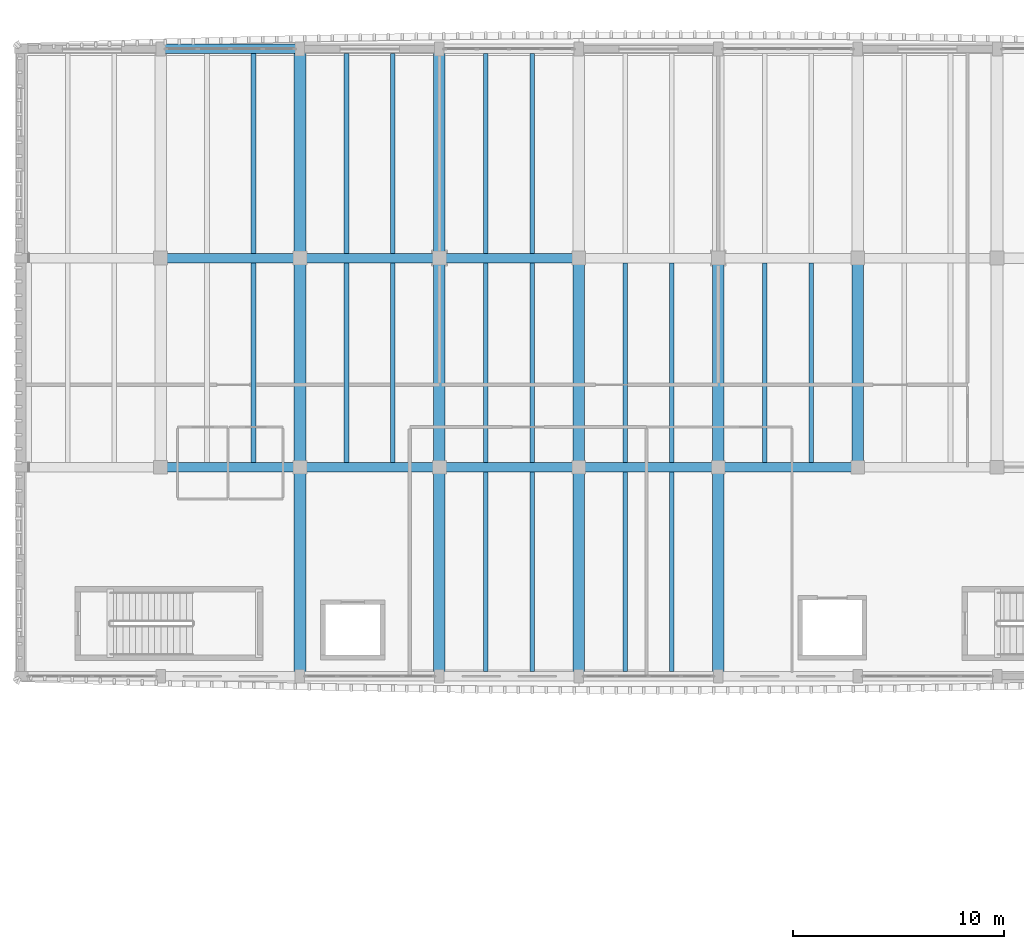
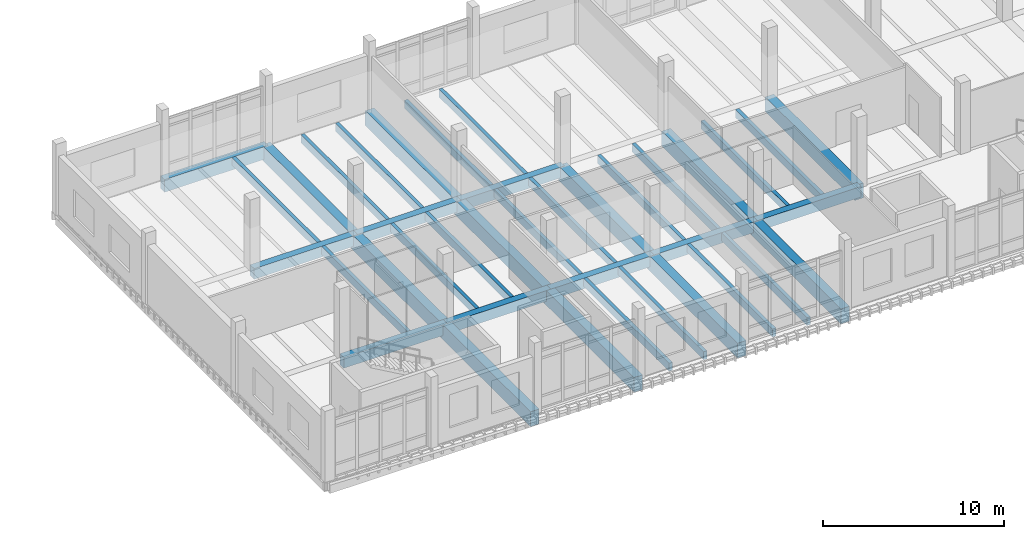
# One storey, part 30 of 76: 38 beams.
"""IFC4 building model written with IfcOpenShell, lengths in metres."""

from ifc_helpers import new_model, si_unit, direction, frame, origin, origin_2d, place, context, subcontext, project, spatial, rectangle, extrude, material, material_profile, profile_set, type_object, element, save


model = new_model("IFC4")

# Units and contexts
model_context = context("Model", 3, precision=1e-05, world=origin(), true_north=direction((0.0, 1.0)))
body_context = subcontext(model_context, "Body", "Model", "MODEL_VIEW")
ifc_project = project(units=[si_unit("LENGTHUNIT", "METRE"), si_unit("AREAUNIT", "SQUARE_METRE"), si_unit("VOLUMEUNIT", "CUBIC_METRE"), si_unit("PLANEANGLEUNIT", "RADIAN"), si_unit("MASSUNIT", "GRAM", prefix="KILO")], contexts=[model_context])

# Site, building, storey
site_placement = place(None, origin())
site = spatial("IfcSite", under=ifc_project, at=site_placement, CompositionType="ELEMENT")
building_placement = place(site_placement, origin())
building = spatial("IfcBuilding", under=site, at=building_placement, Name="Dornvale Research Institute", CompositionType="ELEMENT")
storey_placement = place(building_placement, frame((0.0, 0.0, 15.0)))
storey = spatial("IfcBuildingStorey", under=building, at=storey_placement, Name="L03", CompositionType="ELEMENT", Elevation=15.0)

# Beams
ifc_material_1 = material(Name="Concrete f'c 45 MPa (C35/45)", Category="concrete")
ifc_material_profile_1 = material_profile(ifc_material_1, rectangle(XDim=0.449951171875, YDim=0.715087890625, at=origin_2d()), Name="RC 450x715")
ifc_profile_set_1 = profile_set([ifc_material_profile_1], Name="Concrete f'c 45 MPa (C35/45)")
beam_type_1 = type_object("IfcBeamType", Name="Beam_RC450x715_Lab", PredefinedType="BEAM", material=ifc_profile_set_1)
for number, where, z_axis, x_axis, name in (
    (1, (125.39990234375, 102.300048828125, -0.357421875), (1.0, 0.0, 0.0), (0.0, 1.0, 0.0), "L03 primary girder #926"),
    (2, (132.0, 102.300048828125, -0.357421875), (1.0, 0.0, 0.0), (0.0, 1.0, 0.0), "L03 primary girder #927"),
):
    element("IfcBeam", number, at=place(storey_placement, frame(where, z_axis=z_axis, x_axis=x_axis)), inside=storey, type_object=beam_type_1, Name=name, PredefinedType="BEAM", context=body_context, shape_type="SweptSolid", body=[
        extrude(rectangle(XDim=0.449951171875, YDim=0.715087890625, at=origin_2d()), origin(), (0.0, 0.0, 1.0), 6.60009765625),
    ])
beam_1_placement = place(storey_placement, frame((138.60009765625, 102.300048828125, -0.357421875), z_axis=(1.0, 0.0, 0.0), x_axis=(0.0, 1.0, 0.0)))
element("IfcBeam", 3, at=beam_1_placement, inside=storey, type_object=beam_type_1, Name="L03 primary girder #928", PredefinedType="BEAM", context=body_context, shape_type="SweptSolid", body=[
    extrude(rectangle(XDim=0.449951171875, YDim=0.715087890625, at=origin_2d()), origin(), (0.0, 0.0, 1.0), 6.599853515625),
])
beam_2_placement = place(storey_placement, frame((145.199951171875, 102.300048828125, -0.357421875), z_axis=(1.0, 0.0, 0.0), x_axis=(0.0, 1.0, 0.0)))
element("IfcBeam", 4, at=beam_2_placement, inside=storey, type_object=beam_type_1, Name="L03 primary girder #929", PredefinedType="BEAM", context=body_context, shape_type="SweptSolid", body=[
    extrude(rectangle(XDim=0.449951171875, YDim=0.715087890625, at=origin_2d()), origin(), (0.0, 0.0, 1.0), 6.60009765625),
])
beam_3_placement = place(storey_placement, frame((151.800048828125, 102.300048828125, -0.357421875), z_axis=(1.0, 0.0, 0.0), x_axis=(0.0, 1.0, 0.0)))
element("IfcBeam", 5, at=beam_3_placement, inside=storey, type_object=beam_type_1, Name="L03 primary girder #930", PredefinedType="BEAM", context=body_context, shape_type="SweptSolid", body=[
    extrude(rectangle(XDim=0.449951171875, YDim=0.715087890625, at=origin_2d()), origin(), (0.0, 0.0, 1.0), 6.599853515625),
])
for number, where, z_axis, x_axis, name in (
    (6, (125.39990234375, 112.199951171875, -0.357421875), (1.0, 0.0, 0.0), (0.0, 1.0, 0.0), "L03 primary girder #935"),
    (7, (132.0, 112.199951171875, -0.357421875), (1.0, 0.0, 0.0), (0.0, 1.0, 0.0), "L03 primary girder #936"),
):
    element("IfcBeam", number, at=place(storey_placement, frame(where, z_axis=z_axis, x_axis=x_axis)), inside=storey, type_object=beam_type_1, Name=name, PredefinedType="BEAM", context=body_context, shape_type="SweptSolid", body=[
        extrude(rectangle(XDim=0.449951171875, YDim=0.715087890625, at=origin_2d()), origin(), (0.0, 0.0, 1.0), 6.60009765625),
    ])
beam_4_placement = place(storey_placement, frame((138.60009765625, 112.199951171875, -0.357421875), z_axis=(1.0, 0.0, 0.0), x_axis=(0.0, 1.0, 0.0)))
element("IfcBeam", 8, at=beam_4_placement, inside=storey, type_object=beam_type_1, Name="L03 primary girder #937", PredefinedType="BEAM", context=body_context, shape_type="SweptSolid", body=[
    extrude(rectangle(XDim=0.449951171875, YDim=0.715087890625, at=origin_2d()), origin(), (0.0, 0.0, 1.0), 6.599853515625),
])
ifc_material_2 = material(Name="Concrete f'c 45 MPa (C35/45)", Category="concrete")
ifc_material_profile_2 = material_profile(ifc_material_2, rectangle(XDim=0.550048828125, YDim=1.0, at=origin_2d()), Name="RC 550x1000")
ifc_profile_set_2 = profile_set([ifc_material_profile_2], Name="Concrete f'c 45 MPa (C35/45)")
beam_type_2 = type_object("IfcBeamType", Name="Beam_RC550x1000_Girder", PredefinedType="BEAM", material=ifc_profile_set_2)
beam_5_placement = place(storey_placement, frame((132.0, 92.39990234375, -0.5), z_axis=(0.0, 1.0, 0.0), x_axis=(-1.0, 0.0, 0.0)))
element("IfcBeam", 9, at=beam_5_placement, inside=storey, type_object=beam_type_2, Name="L03 transverse girder #957", PredefinedType="BEAM", context=body_context, shape_type="SweptSolid", body=[
    extrude(rectangle(XDim=0.550048828125, YDim=1.0, at=origin_2d()), origin(), (0.0, 0.0, 1.0), 9.900146484375),
])
beam_6_placement = place(storey_placement, frame((132.0, 102.300048828125, -0.5), z_axis=(0.0, 1.0, 0.0), x_axis=(-1.0, 0.0, 0.0)))
element("IfcBeam", 10, at=beam_6_placement, inside=storey, type_object=beam_type_2, Name="L03 transverse girder #958", PredefinedType="BEAM", context=body_context, shape_type="SweptSolid", body=[
    extrude(rectangle(XDim=0.550048828125, YDim=1.0, at=origin_2d()), origin(), (0.0, 0.0, 1.0), 9.89990234375),
])
for number, where, z_axis, x_axis, name in (
    (11, (132.0, 112.199951171875, -0.5), (0.0, 1.0, 0.0), (-1.0, 0.0, 0.0), "L03 transverse girder #959"),
    (12, (138.60009765625, 92.39990234375, -0.5), (0.0, 1.0, 0.0), (-1.0, 0.0, 0.0), "L03 transverse girder #960"),
):
    element("IfcBeam", number, at=place(storey_placement, frame(where, z_axis=z_axis, x_axis=x_axis)), inside=storey, type_object=beam_type_2, Name=name, PredefinedType="BEAM", context=body_context, shape_type="SweptSolid", body=[
        extrude(rectangle(XDim=0.550048828125, YDim=1.0, at=origin_2d()), origin(), (0.0, 0.0, 1.0), 9.900146484375),
    ])
beam_7_placement = place(storey_placement, frame((138.60009765625, 102.300048828125, -0.5), z_axis=(0.0, 1.0, 0.0), x_axis=(-1.0, 0.0, 0.0)))
element("IfcBeam", 13, at=beam_7_placement, inside=storey, type_object=beam_type_2, Name="L03 transverse girder #961", PredefinedType="BEAM", context=body_context, shape_type="SweptSolid", body=[
    extrude(rectangle(XDim=0.550048828125, YDim=1.0, at=origin_2d()), origin(), (0.0, 0.0, 1.0), 9.89990234375),
])
for number, where, z_axis, x_axis, name in (
    (14, (138.60009765625, 112.199951171875, -0.5), (0.0, 1.0, 0.0), (-1.0, 0.0, 0.0), "L03 transverse girder #962"),
    (15, (145.199951171875, 92.39990234375, -0.5), (0.0, 1.0, 0.0), (-1.0, 0.0, 0.0), "L03 transverse girder #963"),
):
    element("IfcBeam", number, at=place(storey_placement, frame(where, z_axis=z_axis, x_axis=x_axis)), inside=storey, type_object=beam_type_2, Name=name, PredefinedType="BEAM", context=body_context, shape_type="SweptSolid", body=[
        extrude(rectangle(XDim=0.550048828125, YDim=1.0, at=origin_2d()), origin(), (0.0, 0.0, 1.0), 9.900146484375),
    ])
beam_8_placement = place(storey_placement, frame((145.199951171875, 102.300048828125, -0.5), z_axis=(0.0, 1.0, 0.0), x_axis=(-1.0, 0.0, 0.0)))
element("IfcBeam", 16, at=beam_8_placement, inside=storey, type_object=beam_type_2, Name="L03 transverse girder #964", PredefinedType="BEAM", context=body_context, shape_type="SweptSolid", body=[
    extrude(rectangle(XDim=0.550048828125, YDim=1.0, at=origin_2d()), origin(), (0.0, 0.0, 1.0), 9.89990234375),
])
beam_9_placement = place(storey_placement, frame((151.800048828125, 92.39990234375, -0.5), z_axis=(0.0, 1.0, 0.0), x_axis=(-1.0, 0.0, 0.0)))
element("IfcBeam", 17, at=beam_9_placement, inside=storey, type_object=beam_type_2, Name="L03 transverse girder #966", PredefinedType="BEAM", context=body_context, shape_type="SweptSolid", body=[
    extrude(rectangle(XDim=0.550048828125, YDim=1.0, at=origin_2d()), origin(), (0.0, 0.0, 1.0), 9.900146484375),
])
for number, where, z_axis, x_axis, name in (
    (18, (151.800048828125, 102.300048828125, -0.5), (0.0, 1.0, 0.0), (-1.0, 0.0, 0.0), "L03 transverse girder #967"),
    (19, (158.39990234375, 102.300048828125, -0.5), (0.0, 1.0, 0.0), (-1.0, 0.0, 0.0), "L03 transverse girder #969"),
):
    element("IfcBeam", number, at=place(storey_placement, frame(where, z_axis=z_axis, x_axis=x_axis)), inside=storey, type_object=beam_type_2, Name=name, PredefinedType="BEAM", context=body_context, shape_type="SweptSolid", body=[
        extrude(rectangle(XDim=0.550048828125, YDim=1.0, at=origin_2d()), origin(), (0.0, 0.0, 1.0), 9.89990234375),
    ])
ifc_material_3 = material(Name="Concrete f'c 45 MPa (C35/45)", Category="concrete")
ifc_material_profile_3 = material_profile(ifc_material_3, rectangle(XDim=0.219970703125, YDim=0.534912109375, at=origin_2d()), Name="RC 220x535")
ifc_profile_set_3 = profile_set([ifc_material_profile_3], Name="Concrete f'c 45 MPa (C35/45)")
beam_type_3 = type_object("IfcBeamType", Name="Joist_RC220x535_Waffle", PredefinedType="JOIST", material=ifc_profile_set_3)
beam_10_placement = place(storey_placement, frame((129.800048828125, 102.52490234375, -0.267578125), z_axis=(0.0, 1.0, 0.0), x_axis=(-1.0, 0.0, 0.0)))
element("IfcBeam", 20, at=beam_10_placement, inside=storey, type_object=beam_type_3, Name="L03 laboratory waffle joist #457", PredefinedType="JOIST", context=body_context, shape_type="SweptSolid", body=[
    extrude(rectangle(XDim=0.219970703125, YDim=0.534912109375, at=origin_2d()), origin(), (0.0, 0.0, 1.0), 9.4501953125),
])
beam_11_placement = place(storey_placement, frame((129.800048828125, 112.425048828125, -0.267578125), z_axis=(0.0, 1.0, 0.0), x_axis=(-1.0, 0.0, 0.0)))
element("IfcBeam", 21, at=beam_11_placement, inside=storey, type_object=beam_type_3, Name="L03 laboratory waffle joist #459", PredefinedType="JOIST", context=body_context, shape_type="SweptSolid", body=[
    extrude(rectangle(XDim=0.219970703125, YDim=0.534912109375, at=origin_2d()), origin(), (0.0, 0.0, 1.0), 9.449951171875),
])
for number, where, z_axis, x_axis, name in (
    (22, (134.199951171875, 102.52490234375, -0.267578125), (0.0, 1.0, 0.0), (-1.0, 0.0, 0.0), "L03 laboratory waffle joist #460"),
    (23, (136.39990234375, 102.52490234375, -0.267578125), (0.0, 1.0, 0.0), (-1.0, 0.0, 0.0), "L03 laboratory waffle joist #461"),
):
    element("IfcBeam", number, at=place(storey_placement, frame(where, z_axis=z_axis, x_axis=x_axis)), inside=storey, type_object=beam_type_3, Name=name, PredefinedType="JOIST", context=body_context, shape_type="SweptSolid", body=[
        extrude(rectangle(XDim=0.219970703125, YDim=0.534912109375, at=origin_2d()), origin(), (0.0, 0.0, 1.0), 9.4501953125),
    ])
for number, where, z_axis, x_axis, name in (
    (24, (134.199951171875, 112.425048828125, -0.267578125), (0.0, 1.0, 0.0), (-1.0, 0.0, 0.0), "L03 laboratory waffle joist #462"),
    (25, (136.39990234375, 112.425048828125, -0.267578125), (0.0, 1.0, 0.0), (-1.0, 0.0, 0.0), "L03 laboratory waffle joist #463"),
    (26, (140.800048828125, 92.625, -0.267578125), (0.0, 1.0, 0.0), (-1.0, 0.0, 0.0), "L03 laboratory waffle joist #464"),
    (27, (143.0, 92.625, -0.267578125), (0.0, 1.0, 0.0), (-1.0, 0.0, 0.0), "L03 laboratory waffle joist #465"),
):
    element("IfcBeam", number, at=place(storey_placement, frame(where, z_axis=z_axis, x_axis=x_axis)), inside=storey, type_object=beam_type_3, Name=name, PredefinedType="JOIST", context=body_context, shape_type="SweptSolid", body=[
        extrude(rectangle(XDim=0.219970703125, YDim=0.534912109375, at=origin_2d()), origin(), (0.0, 0.0, 1.0), 9.449951171875),
    ])
for number, where, z_axis, x_axis, name in (
    (28, (140.800048828125, 102.52490234375, -0.267578125), (0.0, 1.0, 0.0), (-1.0, 0.0, 0.0), "L03 laboratory waffle joist #466"),
    (29, (143.0, 102.52490234375, -0.267578125), (0.0, 1.0, 0.0), (-1.0, 0.0, 0.0), "L03 laboratory waffle joist #467"),
):
    element("IfcBeam", number, at=place(storey_placement, frame(where, z_axis=z_axis, x_axis=x_axis)), inside=storey, type_object=beam_type_3, Name=name, PredefinedType="JOIST", context=body_context, shape_type="SweptSolid", body=[
        extrude(rectangle(XDim=0.219970703125, YDim=0.534912109375, at=origin_2d()), origin(), (0.0, 0.0, 1.0), 9.4501953125),
    ])
for number, where, z_axis, x_axis, name in (
    (30, (140.800048828125, 112.425048828125, -0.267578125), (0.0, 1.0, 0.0), (-1.0, 0.0, 0.0), "L03 laboratory waffle joist #468"),
    (31, (143.0, 112.425048828125, -0.267578125), (0.0, 1.0, 0.0), (-1.0, 0.0, 0.0), "L03 laboratory waffle joist #469"),
    (32, (147.39990234375, 92.625, -0.267578125), (0.0, 1.0, 0.0), (-1.0, 0.0, 0.0), "L03 laboratory waffle joist #470"),
    (33, (149.60009765625, 92.625, -0.267578125), (0.0, 1.0, 0.0), (-1.0, 0.0, 0.0), "L03 laboratory waffle joist #471"),
):
    element("IfcBeam", number, at=place(storey_placement, frame(where, z_axis=z_axis, x_axis=x_axis)), inside=storey, type_object=beam_type_3, Name=name, PredefinedType="JOIST", context=body_context, shape_type="SweptSolid", body=[
        extrude(rectangle(XDim=0.219970703125, YDim=0.534912109375, at=origin_2d()), origin(), (0.0, 0.0, 1.0), 9.449951171875),
    ])
for number, where, z_axis, x_axis, name in (
    (34, (147.39990234375, 102.52490234375, -0.267578125), (0.0, 1.0, 0.0), (-1.0, 0.0, 0.0), "L03 laboratory waffle joist #472"),
    (35, (149.60009765625, 102.52490234375, -0.267578125), (0.0, 1.0, 0.0), (-1.0, 0.0, 0.0), "L03 laboratory waffle joist #473"),
    (36, (154.0, 102.52490234375, -0.267578125), (0.0, 1.0, 0.0), (-1.0, 0.0, 0.0), "L03 laboratory waffle joist #476"),
    (37, (156.199951171875, 102.52490234375, -0.267578125), (0.0, 1.0, 0.0), (-1.0, 0.0, 0.0), "L03 laboratory waffle joist #477"),
):
    element("IfcBeam", number, at=place(storey_placement, frame(where, z_axis=z_axis, x_axis=x_axis)), inside=storey, type_object=beam_type_3, Name=name, PredefinedType="JOIST", context=body_context, shape_type="SweptSolid", body=[
        extrude(rectangle(XDim=0.219970703125, YDim=0.534912109375, at=origin_2d()), origin(), (0.0, 0.0, 1.0), 9.4501953125),
    ])
ifc_material_4 = material(Name="Concrete f'c 45 MPa (C35/45)", Category="concrete")
ifc_material_profile_4 = material_profile(ifc_material_4, rectangle(XDim=0.449951171875, YDim=0.85009765625, at=origin_2d()), Name="RC 450x850")
ifc_profile_set_4 = profile_set([ifc_material_profile_4], Name="Concrete f'c 45 MPa (C35/45)")
beam_type_4 = type_object("IfcBeamType", Name="Spandrel_RC450x850_Ext", PredefinedType="SPANDREL", material=ifc_profile_set_4)
beam_12_placement = place(storey_placement, frame((125.39990234375, 122.10009765625, -0.425048828125), z_axis=(1.0, 0.0, 0.0), x_axis=(0.0, 1.0, 0.0)))
element("IfcBeam", 38, at=beam_12_placement, inside=storey, type_object=beam_type_4, Name="L03 perimeter spandrel #944", PredefinedType="SPANDREL", context=body_context, shape_type="SweptSolid", body=[
    extrude(rectangle(XDim=0.449951171875, YDim=0.85009765625, at=origin_2d()), origin(), (0.0, 0.0, 1.0), 6.60009765625),
])

save(model, "model.ifc")
